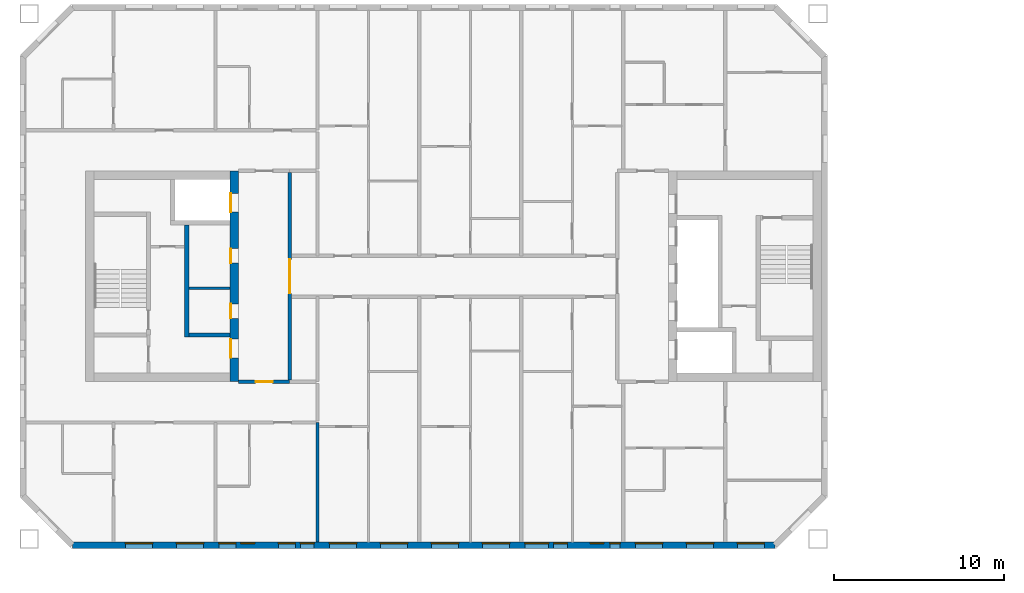
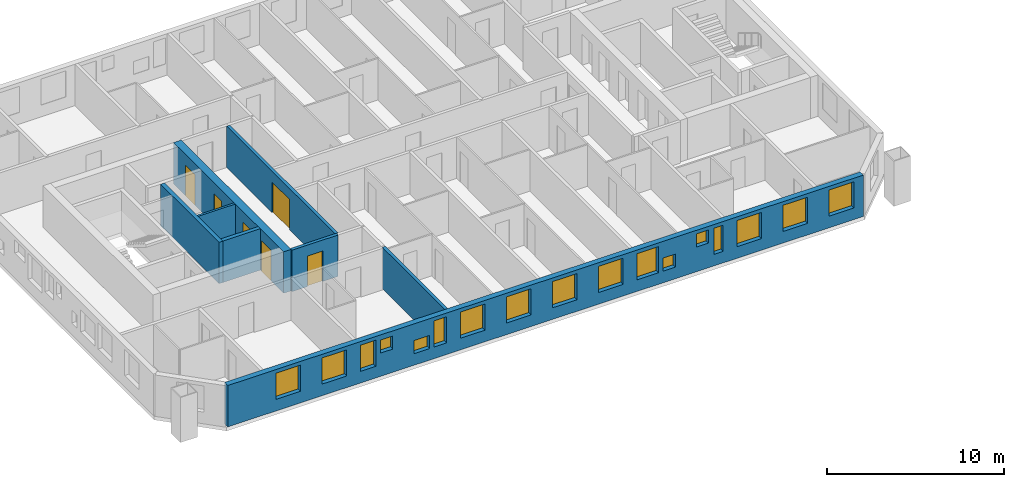
# One storey, part 3 of 16: 17 windows, 8 walls, 6 doors, 23 openings.
"""IFC4 building model written with IfcOpenShell, lengths in metres."""

from ifc_helpers import new_model, si_unit, direction, frame, frame_2d, origin, place, context, subcontext, project, spatial, rectangle, extrude, material, layer, layer_set, type_object, element, fill, save


model = new_model("IFC4")

# Units and contexts
model_context = context("Model", 3, precision=1e-05, world=origin(), true_north=direction((0.0, 1.0)))
body_context = subcontext(model_context, "Body", "Model", "MODEL_VIEW")
ifc_project = project(units=[si_unit("LENGTHUNIT", "METRE"), si_unit("AREAUNIT", "SQUARE_METRE"), si_unit("VOLUMEUNIT", "CUBIC_METRE"), si_unit("PLANEANGLEUNIT", "RADIAN"), si_unit("MASSUNIT", "GRAM", prefix="KILO")], contexts=[model_context])

# Site, building, storey
site_placement = place(None, origin())
site = spatial("IfcSite", under=ifc_project, at=site_placement, CompositionType="ELEMENT")
building_placement = place(site_placement, origin())
building = spatial("IfcBuilding", under=site, at=building_placement, Name="Tuart Gate Housing", CompositionType="ELEMENT")
storey_placement = place(building_placement, frame((0.0, 0.0, 157.800048828125)))
storey = spatial("IfcBuildingStorey", under=building, at=storey_placement, Name="L44", CompositionType="ELEMENT", Elevation=157.800048828125)

# Wall, openings, windows
ifc_material_1 = material(Name="Brick", Category="masonry")
ifc_layer_1 = layer(ifc_material_1, 0.360107421875)
ifc_layer_set_1 = layer_set([ifc_layer_1], Name="Brick pier and spandrel wall 360")
wall_type_1 = type_object("IfcWallType", Name="Brick pier and spandrel wall 360", PredefinedType="STANDARD", material=ifc_layer_set_1)
wall_1_placement = place(storey_placement, frame((31.57470703125, 54.179931640625, 0.0), z_axis=(0.0, 0.0, 1.0), x_axis=(1.0, 0.0, 0.0)))
wall_1 = element("IfcWall", 1, at=wall_1_placement, inside=storey, type_object=wall_type_1, Name="External wall A-S L44", PredefinedType="STANDARD", context=body_context, shape_type="SweptSolid", body=[
    extrude(rectangle(XDim=41.350830078125, YDim=0.360107421875, at=frame_2d((20.67529296875, 0.0))), origin(), (0.0, 0.0, 1.0), 2.849853515625),
])
opening_1_placement = place(wall_1_placement, frame((3.12548828125, 0.0, 0.800048828125)))
opening_1 = element("IfcOpeningElement", 2, at=opening_1_placement, cuts=wall_1, Name="Opening W1", PredefinedType="OPENING", context=body_context, shape_type="SweptSolid", body=[
    extrude(rectangle(XDim=1.60009765625, YDim=1.800048828125, at=frame_2d((0.800048828125, 0.89990234375))), frame((0.0, 0.18994140625, 0.0), z_axis=(0.0, -1.0, 0.0), x_axis=(1.0, 0.0, 0.0)), (0.0, 0.0, 1.0), 0.380126953125),
])
opening_2_placement = place(wall_1_placement, frame((6.12548828125, 0.0, 0.800048828125)))
opening_2 = element("IfcOpeningElement", 3, at=opening_2_placement, cuts=wall_1, Name="Opening W1", PredefinedType="OPENING", context=body_context, shape_type="SweptSolid", body=[
    extrude(rectangle(XDim=1.60009765625, YDim=1.800048828125, at=frame_2d((0.800048828125, 0.89990234375))), frame((0.0, 0.18994140625, 0.0), z_axis=(0.0, -1.0, 0.0), x_axis=(1.0, 0.0, 0.0)), (0.0, 0.0, 1.0), 0.380126953125),
])
opening_3_placement = place(wall_1_placement, frame((8.62548828125, 0.0, 0.800048828125)))
opening_3 = element("IfcOpeningElement", 4, at=opening_3_placement, cuts=wall_1, Name="Opening W1C", PredefinedType="OPENING", context=body_context, shape_type="SweptSolid", body=[
    extrude(rectangle(XDim=1.0, YDim=1.800048828125, at=frame_2d((0.5, 0.89990234375))), frame((0.0, 0.18994140625, 0.0), z_axis=(0.0, -1.0, 0.0), x_axis=(1.0, 0.0, 0.0)), (0.0, 0.0, 1.0), 0.380126953125),
])
opening_4_placement = place(wall_1_placement, frame((9.92529296875, 0.0, 1.60009765625)))
opening_4 = element("IfcOpeningElement", 5, at=opening_4_placement, cuts=wall_1, Name="Opening W1V", PredefinedType="OPENING", context=body_context, shape_type="SweptSolid", body=[
    extrude(rectangle(XDim=0.800048828125, YDim=0.89990234375, at=frame_2d((0.39990234375, 0.449951171875))), frame((0.0, 0.18994140625, 0.0), z_axis=(0.0, -1.0, 0.0), x_axis=(1.0, 0.0, 0.0)), (0.0, 0.0, 1.0), 0.380126953125),
])
opening_5_placement = place(wall_1_placement, frame((15.12548828125, 0.0, 0.800048828125)))
opening_5 = element("IfcOpeningElement", 6, at=opening_5_placement, cuts=wall_1, Name="Opening W1", PredefinedType="OPENING", context=body_context, shape_type="SweptSolid", body=[
    extrude(rectangle(XDim=1.60009765625, YDim=1.800048828125, at=frame_2d((0.800048828125, 0.89990234375))), frame((0.0, 0.18994140625, 0.0), z_axis=(0.0, -1.0, 0.0), x_axis=(1.0, 0.0, 0.0)), (0.0, 0.0, 1.0), 0.380126953125),
])
opening_6_placement = place(wall_1_placement, frame((18.12548828125, 0.0, 0.800048828125)))
opening_6 = element("IfcOpeningElement", 7, at=opening_6_placement, cuts=wall_1, Name="Opening W1", PredefinedType="OPENING", context=body_context, shape_type="SweptSolid", body=[
    extrude(rectangle(XDim=1.60009765625, YDim=1.800048828125, at=frame_2d((0.800048828125, 0.89990234375))), frame((0.0, 0.18994140625, 0.0), z_axis=(0.0, -1.0, 0.0), x_axis=(1.0, 0.0, 0.0)), (0.0, 0.0, 1.0), 0.380126953125),
])
opening_7_placement = place(wall_1_placement, frame((21.12548828125, 0.0, 0.800048828125)))
opening_7 = element("IfcOpeningElement", 8, at=opening_7_placement, cuts=wall_1, Name="Opening W1", PredefinedType="OPENING", context=body_context, shape_type="SweptSolid", body=[
    extrude(rectangle(XDim=1.60009765625, YDim=1.800048828125, at=frame_2d((0.800048828125, 0.89990234375))), frame((0.0, 0.18994140625, 0.0), z_axis=(0.0, -1.0, 0.0), x_axis=(1.0, 0.0, 0.0)), (0.0, 0.0, 1.0), 0.380126953125),
])
opening_8_placement = place(wall_1_placement, frame((24.12548828125, 0.0, 0.800048828125)))
opening_8 = element("IfcOpeningElement", 9, at=opening_8_placement, cuts=wall_1, Name="Opening W1", PredefinedType="OPENING", context=body_context, shape_type="SweptSolid", body=[
    extrude(rectangle(XDim=1.60009765625, YDim=1.800048828125, at=frame_2d((0.800048828125, 0.89990234375))), frame((0.0, 0.18994140625, 0.0), z_axis=(0.0, -1.0, 0.0), x_axis=(1.0, 0.0, 0.0)), (0.0, 0.0, 1.0), 0.380126953125),
])
opening_9_placement = place(wall_1_placement, frame((26.62548828125, 0.0, 0.800048828125)))
opening_9 = element("IfcOpeningElement", 10, at=opening_9_placement, cuts=wall_1, Name="Opening W1A", PredefinedType="OPENING", context=body_context, shape_type="SweptSolid", body=[
    extrude(rectangle(XDim=1.39990234375, YDim=1.800048828125, at=frame_2d((0.699951171875, 0.89990234375))), frame((0.0, 0.18994140625, 0.0), z_axis=(0.0, -1.0, 0.0), x_axis=(1.0, 0.0, 0.0)), (0.0, 0.0, 1.0), 0.380126953125),
])
opening_10_placement = place(wall_1_placement, frame((30.475341796875, 0.0, 1.699951171875)))
opening_10 = element("IfcOpeningElement", 11, at=opening_10_placement, cuts=wall_1, Name="Opening W1V", PredefinedType="OPENING", context=body_context, shape_type="SweptSolid", body=[
    extrude(rectangle(XDim=0.800048828125, YDim=0.89990234375, at=frame_2d((0.39990234375, 0.449951171875))), frame((0.0, 0.18994140625, 0.0), z_axis=(0.0, -1.0, 0.0), x_axis=(1.0, 0.0, 0.0)), (0.0, 0.0, 1.0), 0.380126953125),
])
opening_11_placement = place(wall_1_placement, frame((33.12548828125, 0.0, 0.800048828125)))
opening_11 = element("IfcOpeningElement", 12, at=opening_11_placement, cuts=wall_1, Name="Opening W1", PredefinedType="OPENING", context=body_context, shape_type="SweptSolid", body=[
    extrude(rectangle(XDim=1.60009765625, YDim=1.800048828125, at=frame_2d((0.800048828125, 0.89990234375))), frame((0.0, 0.18994140625, 0.0), z_axis=(0.0, -1.0, 0.0), x_axis=(1.0, 0.0, 0.0)), (0.0, 0.0, 1.0), 0.380126953125),
])
opening_12_placement = place(wall_1_placement, frame((36.12548828125, 0.0, 0.800048828125)))
opening_12 = element("IfcOpeningElement", 13, at=opening_12_placement, cuts=wall_1, Name="Opening W1", PredefinedType="OPENING", context=body_context, shape_type="SweptSolid", body=[
    extrude(rectangle(XDim=1.60009765625, YDim=1.800048828125, at=frame_2d((0.800048828125, 0.89990234375))), frame((0.0, 0.18994140625, 0.0), z_axis=(0.0, -1.0, 0.0), x_axis=(1.0, 0.0, 0.0)), (0.0, 0.0, 1.0), 0.380126953125),
])
opening_13_placement = place(wall_1_placement, frame((39.12548828125, 0.0, 0.800048828125)))
opening_13 = element("IfcOpeningElement", 14, at=opening_13_placement, cuts=wall_1, Name="Opening W1", PredefinedType="OPENING", context=body_context, shape_type="SweptSolid", body=[
    extrude(rectangle(XDim=1.60009765625, YDim=1.800048828125, at=frame_2d((0.800048828125, 0.89990234375))), frame((0.0, 0.18994140625, 0.0), z_axis=(0.0, -1.0, 0.0), x_axis=(1.0, 0.0, 0.0)), (0.0, 0.0, 1.0), 0.380126953125),
])
opening_14_placement = place(wall_1_placement, frame((12.12548828125, 0.0, 0.800048828125)))
opening_14 = element("IfcOpeningElement", 15, at=opening_14_placement, cuts=wall_1, Name="Opening W1U", PredefinedType="OPENING", context=body_context, shape_type="SweptSolid", body=[
    extrude(rectangle(XDim=1.0, YDim=0.89990234375, at=frame_2d((0.5, 0.449951171875))), frame((0.0, 0.18994140625, 0.0), z_axis=(0.0, -1.0, 0.0), x_axis=(1.0, 0.0, 0.0)), (0.0, 0.0, 1.0), 0.380126953125),
])
opening_15_placement = place(wall_1_placement, frame((13.42529296875, 0.0, 0.800048828125)))
opening_15 = element("IfcOpeningElement", 16, at=opening_15_placement, cuts=wall_1, Name="Opening W1D", PredefinedType="OPENING", context=body_context, shape_type="SweptSolid", body=[
    extrude(rectangle(XDim=0.800048828125, YDim=1.800048828125, at=frame_2d((0.39990234375, 0.89990234375))), frame((0.0, 0.18994140625, 0.0), z_axis=(0.0, -1.0, 0.0), x_axis=(1.0, 0.0, 0.0)), (0.0, 0.0, 1.0), 0.380126953125),
])
opening_16_placement = place(wall_1_placement, frame((28.325439453125, 0.0, 0.800048828125)))
opening_16 = element("IfcOpeningElement", 17, at=opening_16_placement, cuts=wall_1, Name="Opening W1V", PredefinedType="OPENING", context=body_context, shape_type="SweptSolid", body=[
    extrude(rectangle(XDim=0.800048828125, YDim=0.89990234375, at=frame_2d((0.39990234375, 0.449951171875))), frame((0.0, 0.18994140625, 0.0), z_axis=(0.0, -1.0, 0.0), x_axis=(1.0, 0.0, 0.0)), (0.0, 0.0, 1.0), 0.380126953125),
])
opening_17_placement = place(wall_1_placement, frame((31.62548828125, 0.0, 0.800048828125)))
opening_17 = element("IfcOpeningElement", 18, at=opening_17_placement, cuts=wall_1, Name="Opening W1E", PredefinedType="OPENING", context=body_context, shape_type="SweptSolid", body=[
    extrude(rectangle(XDim=0.60009765625, YDim=1.800048828125, at=frame_2d((0.300048828125, 0.89990234375))), frame((0.0, 0.18994140625, 0.0), z_axis=(0.0, -1.0, 0.0), x_axis=(1.0, 0.0, 0.0)), (0.0, 0.0, 1.0), 0.380126953125),
])
ifc_material_2 = material(Name="Aluminium frame with clear glass", Category="aluminium")
window_type_1 = type_object("IfcWindowType", Name="Punched window 1000 x 1800", PartitioningType="SINGLE_PANEL", PredefinedType="WINDOW", material=ifc_material_2)
window_1_placement = place(opening_3_placement, origin())
window_1 = element("IfcWindow", 19, at=window_1_placement, inside=storey, type_object=window_type_1, Name="Window W1C", OverallHeight=1.800048828125, OverallWidth=1.0, PartitioningType="SINGLE_PANEL", PredefinedType="WINDOW", context=body_context, shape_type="SweptSolid", body=[
    extrude(rectangle(XDim=1.0, YDim=1.800048828125, at=frame_2d((0.5, 0.89990234375))), frame((0.0, 0.150146484375, 0.0), z_axis=(0.0, -1.0, 0.0), x_axis=(1.0, 0.0, 0.0)), (0.0, 0.0, 1.0), 0.06005859375),
])
fill(opening_3, window_1)
ifc_material_3 = material(Name="Aluminium frame with clear glass", Category="aluminium")
window_type_2 = type_object("IfcWindowType", Name="Punched window 1000 x 900", PartitioningType="SINGLE_PANEL", PredefinedType="WINDOW", material=ifc_material_3)
window_2_placement = place(opening_14_placement, origin())
window_2 = element("IfcWindow", 20, at=window_2_placement, inside=storey, type_object=window_type_2, Name="Window W1U", OverallHeight=0.89990234375, OverallWidth=1.0, PartitioningType="SINGLE_PANEL", PredefinedType="WINDOW", context=body_context, shape_type="SweptSolid", body=[
    extrude(rectangle(XDim=1.0, YDim=0.89990234375, at=frame_2d((0.5, 0.449951171875))), frame((0.0, 0.150146484375, 0.0), z_axis=(0.0, -1.0, 0.0), x_axis=(1.0, 0.0, 0.0)), (0.0, 0.0, 1.0), 0.06005859375),
])
fill(opening_14, window_2)
ifc_material_4 = material(Name="Aluminium frame with clear glass", Category="aluminium")
window_type_3 = type_object("IfcWindowType", Name="Punched window 1400 x 1800", PartitioningType="SINGLE_PANEL", PredefinedType="WINDOW", material=ifc_material_4)
window_3_placement = place(opening_9_placement, origin())
window_3 = element("IfcWindow", 21, at=window_3_placement, inside=storey, type_object=window_type_3, Name="Window W1A", OverallHeight=1.800048828125, OverallWidth=1.39990234375, PartitioningType="SINGLE_PANEL", PredefinedType="WINDOW", context=body_context, shape_type="SweptSolid", body=[
    extrude(rectangle(XDim=1.39990234375, YDim=1.800048828125, at=frame_2d((0.699951171875, 0.89990234375))), frame((0.0, 0.150146484375, 0.0), z_axis=(0.0, -1.0, 0.0), x_axis=(1.0, 0.0, 0.0)), (0.0, 0.0, 1.0), 0.06005859375),
])
fill(opening_9, window_3)
ifc_material_5 = material(Name="Aluminium frame with clear glass", Category="aluminium")
window_type_4 = type_object("IfcWindowType", Name="Punched window 1600 x 1800", PartitioningType="SINGLE_PANEL", PredefinedType="WINDOW", material=ifc_material_5)
window_4_placement = place(opening_1_placement, origin())
window_4 = element("IfcWindow", 22, at=window_4_placement, inside=storey, type_object=window_type_4, Name="Window W1", OverallHeight=1.800048828125, OverallWidth=1.60009765625, PartitioningType="SINGLE_PANEL", PredefinedType="WINDOW", context=body_context, shape_type="SweptSolid", body=[
    extrude(rectangle(XDim=1.60009765625, YDim=1.800048828125, at=frame_2d((0.800048828125, 0.89990234375))), frame((0.0, 0.150146484375, 0.0), z_axis=(0.0, -1.0, 0.0), x_axis=(1.0, 0.0, 0.0)), (0.0, 0.0, 1.0), 0.06005859375),
])
fill(opening_1, window_4)
window_5_placement = place(opening_2_placement, origin())
window_5 = element("IfcWindow", 23, at=window_5_placement, inside=storey, type_object=window_type_4, Name="Window W1", OverallHeight=1.800048828125, OverallWidth=1.60009765625, PartitioningType="SINGLE_PANEL", PredefinedType="WINDOW", context=body_context, shape_type="SweptSolid", body=[
    extrude(rectangle(XDim=1.60009765625, YDim=1.800048828125, at=frame_2d((0.800048828125, 0.89990234375))), frame((0.0, 0.150146484375, 0.0), z_axis=(0.0, -1.0, 0.0), x_axis=(1.0, 0.0, 0.0)), (0.0, 0.0, 1.0), 0.06005859375),
])
fill(opening_2, window_5)
window_6_placement = place(opening_5_placement, origin())
window_6 = element("IfcWindow", 24, at=window_6_placement, inside=storey, type_object=window_type_4, Name="Window W1", OverallHeight=1.800048828125, OverallWidth=1.60009765625, PartitioningType="SINGLE_PANEL", PredefinedType="WINDOW", context=body_context, shape_type="SweptSolid", body=[
    extrude(rectangle(XDim=1.60009765625, YDim=1.800048828125, at=frame_2d((0.800048828125, 0.89990234375))), frame((0.0, 0.150146484375, 0.0), z_axis=(0.0, -1.0, 0.0), x_axis=(1.0, 0.0, 0.0)), (0.0, 0.0, 1.0), 0.06005859375),
])
fill(opening_5, window_6)
window_7_placement = place(opening_6_placement, origin())
window_7 = element("IfcWindow", 25, at=window_7_placement, inside=storey, type_object=window_type_4, Name="Window W1", OverallHeight=1.800048828125, OverallWidth=1.60009765625, PartitioningType="SINGLE_PANEL", PredefinedType="WINDOW", context=body_context, shape_type="SweptSolid", body=[
    extrude(rectangle(XDim=1.60009765625, YDim=1.800048828125, at=frame_2d((0.800048828125, 0.89990234375))), frame((0.0, 0.150146484375, 0.0), z_axis=(0.0, -1.0, 0.0), x_axis=(1.0, 0.0, 0.0)), (0.0, 0.0, 1.0), 0.06005859375),
])
fill(opening_6, window_7)
window_8_placement = place(opening_7_placement, origin())
window_8 = element("IfcWindow", 26, at=window_8_placement, inside=storey, type_object=window_type_4, Name="Window W1", OverallHeight=1.800048828125, OverallWidth=1.60009765625, PartitioningType="SINGLE_PANEL", PredefinedType="WINDOW", context=body_context, shape_type="SweptSolid", body=[
    extrude(rectangle(XDim=1.60009765625, YDim=1.800048828125, at=frame_2d((0.800048828125, 0.89990234375))), frame((0.0, 0.150146484375, 0.0), z_axis=(0.0, -1.0, 0.0), x_axis=(1.0, 0.0, 0.0)), (0.0, 0.0, 1.0), 0.06005859375),
])
fill(opening_7, window_8)
window_9_placement = place(opening_8_placement, origin())
window_9 = element("IfcWindow", 27, at=window_9_placement, inside=storey, type_object=window_type_4, Name="Window W1", OverallHeight=1.800048828125, OverallWidth=1.60009765625, PartitioningType="SINGLE_PANEL", PredefinedType="WINDOW", context=body_context, shape_type="SweptSolid", body=[
    extrude(rectangle(XDim=1.60009765625, YDim=1.800048828125, at=frame_2d((0.800048828125, 0.89990234375))), frame((0.0, 0.150146484375, 0.0), z_axis=(0.0, -1.0, 0.0), x_axis=(1.0, 0.0, 0.0)), (0.0, 0.0, 1.0), 0.06005859375),
])
fill(opening_8, window_9)
window_10_placement = place(opening_11_placement, origin())
window_10 = element("IfcWindow", 28, at=window_10_placement, inside=storey, type_object=window_type_4, Name="Window W1", OverallHeight=1.800048828125, OverallWidth=1.60009765625, PartitioningType="SINGLE_PANEL", PredefinedType="WINDOW", context=body_context, shape_type="SweptSolid", body=[
    extrude(rectangle(XDim=1.60009765625, YDim=1.800048828125, at=frame_2d((0.800048828125, 0.89990234375))), frame((0.0, 0.150146484375, 0.0), z_axis=(0.0, -1.0, 0.0), x_axis=(1.0, 0.0, 0.0)), (0.0, 0.0, 1.0), 0.06005859375),
])
fill(opening_11, window_10)
window_11_placement = place(opening_12_placement, origin())
window_11 = element("IfcWindow", 29, at=window_11_placement, inside=storey, type_object=window_type_4, Name="Window W1", OverallHeight=1.800048828125, OverallWidth=1.60009765625, PartitioningType="SINGLE_PANEL", PredefinedType="WINDOW", context=body_context, shape_type="SweptSolid", body=[
    extrude(rectangle(XDim=1.60009765625, YDim=1.800048828125, at=frame_2d((0.800048828125, 0.89990234375))), frame((0.0, 0.150146484375, 0.0), z_axis=(0.0, -1.0, 0.0), x_axis=(1.0, 0.0, 0.0)), (0.0, 0.0, 1.0), 0.06005859375),
])
fill(opening_12, window_11)
window_12_placement = place(opening_13_placement, origin())
window_12 = element("IfcWindow", 30, at=window_12_placement, inside=storey, type_object=window_type_4, Name="Window W1", OverallHeight=1.800048828125, OverallWidth=1.60009765625, PartitioningType="SINGLE_PANEL", PredefinedType="WINDOW", context=body_context, shape_type="SweptSolid", body=[
    extrude(rectangle(XDim=1.60009765625, YDim=1.800048828125, at=frame_2d((0.800048828125, 0.89990234375))), frame((0.0, 0.150146484375, 0.0), z_axis=(0.0, -1.0, 0.0), x_axis=(1.0, 0.0, 0.0)), (0.0, 0.0, 1.0), 0.06005859375),
])
fill(opening_13, window_12)
ifc_material_6 = material(Name="Aluminium frame with clear glass", Category="aluminium")
window_type_5 = type_object("IfcWindowType", Name="Punched window 600 x 1800", PartitioningType="SINGLE_PANEL", PredefinedType="WINDOW", material=ifc_material_6)
window_13_placement = place(opening_17_placement, origin())
window_13 = element("IfcWindow", 31, at=window_13_placement, inside=storey, type_object=window_type_5, Name="Window W1E", OverallHeight=1.800048828125, OverallWidth=0.60009765625, PartitioningType="SINGLE_PANEL", PredefinedType="WINDOW", context=body_context, shape_type="SweptSolid", body=[
    extrude(rectangle(XDim=0.60009765625, YDim=1.800048828125, at=frame_2d((0.300048828125, 0.89990234375))), frame((0.0, 0.150146484375, 0.0), z_axis=(0.0, -1.0, 0.0), x_axis=(1.0, 0.0, 0.0)), (0.0, 0.0, 1.0), 0.06005859375),
])
fill(opening_17, window_13)
ifc_material_7 = material(Name="Aluminium frame with clear glass", Category="aluminium")
window_type_6 = type_object("IfcWindowType", Name="Punched window 800 x 1800", PartitioningType="SINGLE_PANEL", PredefinedType="WINDOW", material=ifc_material_7)
window_14_placement = place(opening_15_placement, origin())
window_14 = element("IfcWindow", 32, at=window_14_placement, inside=storey, type_object=window_type_6, Name="Window W1D", OverallHeight=1.800048828125, OverallWidth=0.800048828125, PartitioningType="SINGLE_PANEL", PredefinedType="WINDOW", context=body_context, shape_type="SweptSolid", body=[
    extrude(rectangle(XDim=0.800048828125, YDim=1.800048828125, at=frame_2d((0.39990234375, 0.89990234375))), frame((0.0, 0.150146484375, 0.0), z_axis=(0.0, -1.0, 0.0), x_axis=(1.0, 0.0, 0.0)), (0.0, 0.0, 1.0), 0.06005859375),
])
fill(opening_15, window_14)
ifc_material_8 = material(Name="Aluminium frame with clear glass", Category="aluminium")
window_type_7 = type_object("IfcWindowType", Name="Punched window 800 x 900", PartitioningType="SINGLE_PANEL", PredefinedType="WINDOW", material=ifc_material_8)
window_15_placement = place(opening_4_placement, origin())
window_15 = element("IfcWindow", 33, at=window_15_placement, inside=storey, type_object=window_type_7, Name="Window W1V", OverallHeight=0.89990234375, OverallWidth=0.800048828125, PartitioningType="SINGLE_PANEL", PredefinedType="WINDOW", context=body_context, shape_type="SweptSolid", body=[
    extrude(rectangle(XDim=0.800048828125, YDim=0.89990234375, at=frame_2d((0.39990234375, 0.449951171875))), frame((0.0, 0.150146484375, 0.0), z_axis=(0.0, -1.0, 0.0), x_axis=(1.0, 0.0, 0.0)), (0.0, 0.0, 1.0), 0.06005859375),
])
fill(opening_4, window_15)
window_16_placement = place(opening_10_placement, origin())
window_16 = element("IfcWindow", 34, at=window_16_placement, inside=storey, type_object=window_type_7, Name="Window W1V", OverallHeight=0.89990234375, OverallWidth=0.800048828125, PartitioningType="SINGLE_PANEL", PredefinedType="WINDOW", context=body_context, shape_type="SweptSolid", body=[
    extrude(rectangle(XDim=0.800048828125, YDim=0.89990234375, at=frame_2d((0.39990234375, 0.449951171875))), frame((0.0, 0.150146484375, 0.0), z_axis=(0.0, -1.0, 0.0), x_axis=(1.0, 0.0, 0.0)), (0.0, 0.0, 1.0), 0.06005859375),
])
fill(opening_10, window_16)
window_17_placement = place(opening_16_placement, origin())
window_17 = element("IfcWindow", 35, at=window_17_placement, inside=storey, type_object=window_type_7, Name="Window W1V", OverallHeight=0.89990234375, OverallWidth=0.800048828125, PartitioningType="SINGLE_PANEL", PredefinedType="WINDOW", context=body_context, shape_type="SweptSolid", body=[
    extrude(rectangle(XDim=0.800048828125, YDim=0.89990234375, at=frame_2d((0.39990234375, 0.449951171875))), frame((0.0, 0.150146484375, 0.0), z_axis=(0.0, -1.0, 0.0), x_axis=(1.0, 0.0, 0.0)), (0.0, 0.0, 1.0), 0.06005859375),
])
fill(opening_16, window_17)

# Walls
ifc_material_9 = material(Name="Plasterboard partition")
ifc_layer_2 = layer(ifc_material_9, 0.14990234375)
ifc_layer_set_2 = layer_set([ifc_layer_2], Name="Core partition 150")
wall_type_2 = type_object("IfcWallType", Name="Core partition 150", PredefinedType="PARTITIONING", material=ifc_layer_set_2)
wall_2_placement = place(storey_placement, frame((40.860107421875, 69.300048828125, 0.0), z_axis=(0.0, 0.0, 1.0), x_axis=(-1.0, 0.0, 0.0)))
element("IfcWall", 36, at=wall_2_placement, inside=storey, type_object=wall_type_2, Name="Core partition AK.4", PredefinedType="PARTITIONING", context=body_context, shape_type="SweptSolid", body=[
    extrude(rectangle(XDim=2.425048828125, YDim=0.14990234375, at=frame_2d((1.21240234375, 0.0))), origin(), (0.0, 0.0, 1.0), 2.849853515625),
])
ifc_material_10 = material(Name="Concrete C40", Category="concrete")
ifc_layer_3 = layer(ifc_material_10, 0.25)
ifc_layer_set_3 = layer_set([ifc_layer_3], Name="Core wall 250 C40")
wall_type_3 = type_object("IfcWallType", Name="Core wall 250 C40", PredefinedType="SHEAR", material=ifc_layer_set_3)
wall_3_placement = place(storey_placement, frame((40.860107421875, 66.550048828125, 0.0), z_axis=(0.0, 0.0, 1.0), x_axis=(-1.0, 0.0, 0.0)))
element("IfcWall", 37, at=wall_3_placement, inside=storey, type_object=wall_type_3, Name="Core wall AK.5", PredefinedType="SHEAR", context=body_context, shape_type="SweptSolid", body=[
    extrude(rectangle(XDim=2.425048828125, YDim=0.25, at=frame_2d((1.21240234375, 0.0))), origin(), (0.0, 0.0, 1.0), 2.849853515625),
])
wall_4_placement = place(storey_placement, frame((38.31005859375, 73.02490234375, 0.0), z_axis=(0.0, 0.0, 1.0), x_axis=(0.0, -1.0, 0.0)))
element("IfcWall", 38, at=wall_4_placement, inside=storey, type_object=wall_type_3, Name="Core wall AK.7", PredefinedType="SHEAR", context=body_context, shape_type="SweptSolid", body=[
    extrude(rectangle(XDim=6.599853515625, YDim=0.25, at=frame_2d((3.2998046875, 0.0))), origin(), (0.0, 0.0, 1.0), 2.849853515625),
])

# Wall, openings, doors
ifc_material_11 = material(Name="Concrete C40", Category="concrete")
ifc_layer_4 = layer(ifc_material_11, 0.5)
ifc_layer_set_4 = layer_set([ifc_layer_4], Name="Core wall 500 C40")
wall_type_4 = type_object("IfcWallType", Name="Core wall 500 C40", PredefinedType="SHEAR", material=ifc_layer_set_4)
wall_5_placement = place(storey_placement, frame((41.110107421875, 76.199951171875, 0.0), z_axis=(0.0, 0.0, 1.0), x_axis=(0.0, -1.0, 0.0)))
wall_5 = element("IfcWall", 39, at=wall_5_placement, inside=storey, type_object=wall_type_4, Name="Core wall AK front", PredefinedType="SHEAR", context=body_context, shape_type="SweptSolid", body=[
    extrude(rectangle(XDim=12.39990234375, YDim=0.5, at=frame_2d((6.199951171875, 0.0))), origin(), (0.0, 0.0, 1.0), 2.849853515625),
])
opening_18_placement = place(wall_5_placement, frame((1.324951171875, 0.0, 0.0)))
opening_18 = element("IfcOpeningElement", 40, at=opening_18_placement, cuts=wall_5, Name="Opening LD-FA2", PredefinedType="OPENING", context=body_context, shape_type="SweptSolid", body=[
    extrude(rectangle(XDim=1.10009765625, YDim=2.10009765625, at=frame_2d((0.550048828125, 1.050048828125))), frame((0.0, 0.260009765625, 0.0), z_axis=(0.0, -1.0, 0.0), x_axis=(1.0, 0.0, 0.0)), (0.0, 0.0, 1.0), 0.52001953125),
])
opening_19_placement = place(wall_5_placement, frame((4.574951171875, 0.0, 0.0)))
opening_19 = element("IfcOpeningElement", 41, at=opening_19_placement, cuts=wall_5, Name="Opening D1650", PredefinedType="OPENING", context=body_context, shape_type="SweptSolid", body=[
    extrude(rectangle(XDim=0.85009765625, YDim=2.10009765625, at=frame_2d((0.425048828125, 1.050048828125))), frame((0.0, 0.260009765625, 0.0), z_axis=(0.0, -1.0, 0.0), x_axis=(1.0, 0.0, 0.0)), (0.0, 0.0, 1.0), 0.52001953125),
])
opening_20_placement = place(wall_5_placement, frame((7.824951171875, 0.0, 0.0)))
opening_20 = element("IfcOpeningElement", 42, at=opening_20_placement, cuts=wall_5, Name="Opening D1651", PredefinedType="OPENING", context=body_context, shape_type="SweptSolid", body=[
    extrude(rectangle(XDim=0.85009765625, YDim=2.10009765625, at=frame_2d((0.425048828125, 1.050048828125))), frame((0.0, 0.260009765625, 0.0), z_axis=(0.0, -1.0, 0.0), x_axis=(1.0, 0.0, 0.0)), (0.0, 0.0, 1.0), 0.52001953125),
])
opening_21_placement = place(wall_5_placement, frame((9.89990234375, 0.0, 0.0)))
opening_21 = element("IfcOpeningElement", 43, at=opening_21_placement, cuts=wall_5, Name="Opening D1649", PredefinedType="OPENING", context=body_context, shape_type="SweptSolid", body=[
    extrude(rectangle(XDim=1.10009765625, YDim=2.10009765625, at=frame_2d((0.550048828125, 1.050048828125))), frame((0.0, 0.260009765625, 0.0), z_axis=(0.0, -1.0, 0.0), x_axis=(1.0, 0.0, 0.0)), (0.0, 0.0, 1.0), 0.52001953125),
])
ifc_material_12 = material(Name="Stainless steel", Category="steel")
door_type_1 = type_object("IfcDoorType", Name="Landing door 1100 x 2100", OperationType="DOUBLE_DOOR_SLIDING", PredefinedType="DOOR", material=ifc_material_12)
door_1_placement = place(opening_18_placement, origin())
door_1 = element("IfcDoor", 44, at=door_1_placement, inside=storey, type_object=door_type_1, Name="Lift landing door FA2", OperationType="DOUBLE_DOOR_SLIDING", OverallHeight=2.10009765625, OverallWidth=1.10009765625, PredefinedType="DOOR", context=body_context, shape_type="SweptSolid", body=[
    extrude(rectangle(XDim=1.10009765625, YDim=2.10009765625, at=frame_2d((0.550048828125, 1.050048828125))), frame((0.0, -0.18505859375, 0.0), z_axis=(0.0, -1.0, 0.0), x_axis=(1.0, 0.0, 0.0)), (0.0, 0.0, 1.0), 0.050048828125),
])
fill(opening_18, door_1)
ifc_material_13 = material(Name="Steel fire door", Category="steel")
door_type_2 = type_object("IfcDoorType", Name="Lobby door 1100 x 2100 RH", OperationType="SINGLE_SWING_RIGHT", PredefinedType="DOOR", material=ifc_material_13)
door_2_placement = place(opening_21_placement, frame((1.10009765625, 0.0, 0.0), z_axis=(0.0, 0.0, 1.0), x_axis=(-1.0, 0.0, 0.0)))
door_2 = element("IfcDoor", 45, at=door_2_placement, inside=storey, type_object=door_type_2, Name="Lobby entry door AK.EN", OperationType="SINGLE_SWING_RIGHT", OverallHeight=2.10009765625, OverallWidth=1.10009765625, PredefinedType="DOOR", context=body_context, shape_type="SweptSolid", body=[
    extrude(rectangle(XDim=1.10009765625, YDim=2.10009765625, at=frame_2d((0.550048828125, 1.050048828125))), frame((0.0, 0.235107421875, 0.0), z_axis=(0.0, -1.0, 0.0), x_axis=(1.0, 0.0, 0.0)), (0.0, 0.0, 1.0), 0.050048828125),
])
fill(opening_21, door_2)
ifc_material_14 = material(Name="Steel fire door", Category="steel")
door_type_3 = type_object("IfcDoorType", Name="Service door 850 x 2100 RH", OperationType="SINGLE_SWING_RIGHT", PredefinedType="DOOR", material=ifc_material_14)
door_3_placement = place(opening_19_placement, frame((0.85009765625, 0.0, 0.0), z_axis=(0.0, 0.0, 1.0), x_axis=(-1.0, 0.0, 0.0)))
door_3 = element("IfcDoor", 46, at=door_3_placement, inside=storey, type_object=door_type_3, Name="Service room door AK.FR1", OperationType="SINGLE_SWING_RIGHT", OverallHeight=2.10009765625, OverallWidth=0.85009765625, PredefinedType="DOOR", context=body_context, shape_type="SweptSolid", body=[
    extrude(rectangle(XDim=0.85009765625, YDim=2.10009765625, at=frame_2d((0.425048828125, 1.050048828125))), frame((0.0, 0.235107421875, 0.0), z_axis=(0.0, -1.0, 0.0), x_axis=(1.0, 0.0, 0.0)), (0.0, 0.0, 1.0), 0.050048828125),
])
fill(opening_19, door_3)
door_4_placement = place(opening_20_placement, frame((0.85009765625, 0.0, 0.0), z_axis=(0.0, 0.0, 1.0), x_axis=(-1.0, 0.0, 0.0)))
door_4 = element("IfcDoor", 47, at=door_4_placement, inside=storey, type_object=door_type_3, Name="Service room door AK.FR2", OperationType="SINGLE_SWING_RIGHT", OverallHeight=2.10009765625, OverallWidth=0.85009765625, PredefinedType="DOOR", context=body_context, shape_type="SweptSolid", body=[
    extrude(rectangle(XDim=0.85009765625, YDim=2.10009765625, at=frame_2d((0.425048828125, 1.050048828125))), frame((0.0, 0.235107421875, 0.0), z_axis=(0.0, -1.0, 0.0), x_axis=(1.0, 0.0, 0.0)), (0.0, 0.0, 1.0), 0.050048828125),
])
fill(opening_20, door_4)

# Wall, opening, door
ifc_material_15 = material(Name="Concrete masonry 15 MPa", Category="masonry")
ifc_layer_5 = layer(ifc_material_15, 0.199951171875)
ifc_layer_set_5 = layer_set([ifc_layer_5], Name="Enclosure wall masonry 200")
wall_type_5 = type_object("IfcWallType", Name="Enclosure wall masonry 200", PredefinedType="PARTITIONING", material=ifc_layer_set_5)
wall_6_placement = place(storey_placement, frame((41.360107421875, 63.800048828125, 0.0), z_axis=(0.0, 0.0, 1.0), x_axis=(1.0, 0.0, 0.0)))
wall_6 = element("IfcWall", 48, at=wall_6_placement, inside=storey, type_object=wall_type_5, Name="Enclosure wall masonry 200", PredefinedType="PARTITIONING", context=body_context, shape_type="SweptSolid", body=[
    extrude(rectangle(XDim=3.0, YDim=0.199951171875, at=frame_2d((1.5, 0.0))), origin(), (0.0, 0.0, 1.0), 2.849853515625),
])
opening_22_placement = place(wall_6_placement, frame((1.0, 0.0, 0.0)))
opening_22 = element("IfcOpeningElement", 49, at=opening_22_placement, cuts=wall_6, Name="Opening D1661", PredefinedType="OPENING", context=body_context, shape_type="SweptSolid", body=[
    extrude(rectangle(XDim=1.0, YDim=2.10009765625, at=frame_2d((0.5, 1.050048828125))), frame((0.0, 0.10986328125, 0.0), z_axis=(0.0, -1.0, 0.0), x_axis=(1.0, 0.0, 0.0)), (0.0, 0.0, 1.0), 0.219970703125),
])
ifc_material_16 = material(Name="Timber door leaf in steel frame", Category="steel")
door_type_4 = type_object("IfcDoorType", Name="Fire door 1000", OperationType="SINGLE_SWING_LEFT", PredefinedType="DOOR", material=ifc_material_16)
door_5_placement = place(opening_22_placement, frame((1.0, 0.0, 0.0), z_axis=(0.0, 0.0, 1.0), x_axis=(-1.0, 0.0, 0.0)))
door_5 = element("IfcDoor", 50, at=door_5_placement, inside=storey, type_object=door_type_4, Name="Fire door", OperationType="SINGLE_SWING_LEFT", OverallHeight=2.10009765625, OverallWidth=1.0, PredefinedType="DOOR", context=body_context, shape_type="SweptSolid", body=[
    extrude(rectangle(XDim=1.0, YDim=2.10009765625, at=frame_2d((0.5, 1.050048828125))), frame((0.0, 0.025146484375, 0.0), z_axis=(0.0, -1.0, 0.0), x_axis=(1.0, 0.0, 0.0)), (0.0, 0.0, 1.0), 0.050048828125),
])
fill(opening_22, door_5)

ifc_material_17 = material(Name="Plasterboard partition")
ifc_layer_6 = layer(ifc_material_17, 0.199951171875)
ifc_layer_set_6 = layer_set([ifc_layer_6], Name="Lobby wall 200")
wall_type_6 = type_object("IfcWallType", Name="Lobby wall 200", PredefinedType="PARTITIONING", material=ifc_layer_set_6)
wall_7_placement = place(storey_placement, frame((44.360107421875, 63.89990234375, 0.0), z_axis=(0.0, 0.0, 1.0), x_axis=(0.0, 1.0, 0.0)))
wall_7 = element("IfcWall", 51, at=wall_7_placement, inside=storey, type_object=wall_type_6, Name="Lift lobby wall AK", PredefinedType="PARTITIONING", context=body_context, shape_type="SweptSolid", body=[
    extrude(rectangle(XDim=12.2001953125, YDim=0.199951171875, at=frame_2d((6.10009765625, 0.0))), origin(), (0.0, 0.0, 1.0), 2.849853515625),
])
opening_23_placement = place(wall_7_placement, frame((5.10009765625, 0.0, 0.0)))
opening_23 = element("IfcOpeningElement", 52, at=opening_23_placement, cuts=wall_7, Name="Opening D1652", PredefinedType="OPENING", context=body_context, shape_type="SweptSolid", body=[
    extrude(rectangle(XDim=2.0, YDim=2.10009765625, at=frame_2d((1.0, 1.050048828125))), frame((0.0, 0.10986328125, 0.0), z_axis=(0.0, -1.0, 0.0), x_axis=(1.0, 0.0, 0.0)), (0.0, 0.0, 1.0), 0.219970703125),
])
ifc_material_18 = material(Name="Steel fire door", Category="steel")
door_type_5 = type_object("IfcDoorType", Name="Smoke door 2000 x 2100", OperationType="DOUBLE_DOOR_SINGLE_SWING", PredefinedType="DOOR", material=ifc_material_18)
door_6_placement = place(opening_23_placement, origin())
door_6 = element("IfcDoor", 53, at=door_6_placement, inside=storey, type_object=door_type_5, Name="Lift lobby smoke door AK", OperationType="DOUBLE_DOOR_SINGLE_SWING", OverallHeight=2.10009765625, OverallWidth=2.0, PredefinedType="DOOR", context=body_context, shape_type="SweptSolid", body=[
    extrude(rectangle(XDim=2.0, YDim=2.10009765625, at=frame_2d((1.0, 1.050048828125))), frame((0.0, 0.02490234375, 0.0), z_axis=(0.0, -1.0, 0.0), x_axis=(1.0, 0.0, 0.0)), (0.0, 0.0, 1.0), 0.050048828125),
])
fill(opening_23, door_6)

# Wall
ifc_material_19 = material(Name="Concrete C40", Category="concrete")
ifc_layer_7 = layer(ifc_material_19, 0.199951171875)
ifc_layer_set_7 = layer_set([ifc_layer_7], Name="Party wall concrete C40 200")
wall_type_7 = type_object("IfcWallType", Name="Party wall concrete C40 200", PredefinedType="SOLIDWALL", material=ifc_layer_set_7)
wall_8_placement = place(storey_placement, frame((46.0, 54.360107421875, 0.0), z_axis=(0.0, 0.0, 1.0), x_axis=(0.0, 1.0, 0.0)))
element("IfcWall", 54, at=wall_8_placement, inside=storey, type_object=wall_type_7, Name="Party wall concrete C40 200", PredefinedType="SOLIDWALL", context=body_context, shape_type="SweptSolid", body=[
    extrude(rectangle(XDim=7.039794921875, YDim=0.199951171875, at=frame_2d((3.52001953125, 0.0))), origin(), (0.0, 0.0, 1.0), 2.849853515625),
])

save(model, "model.ifc")
